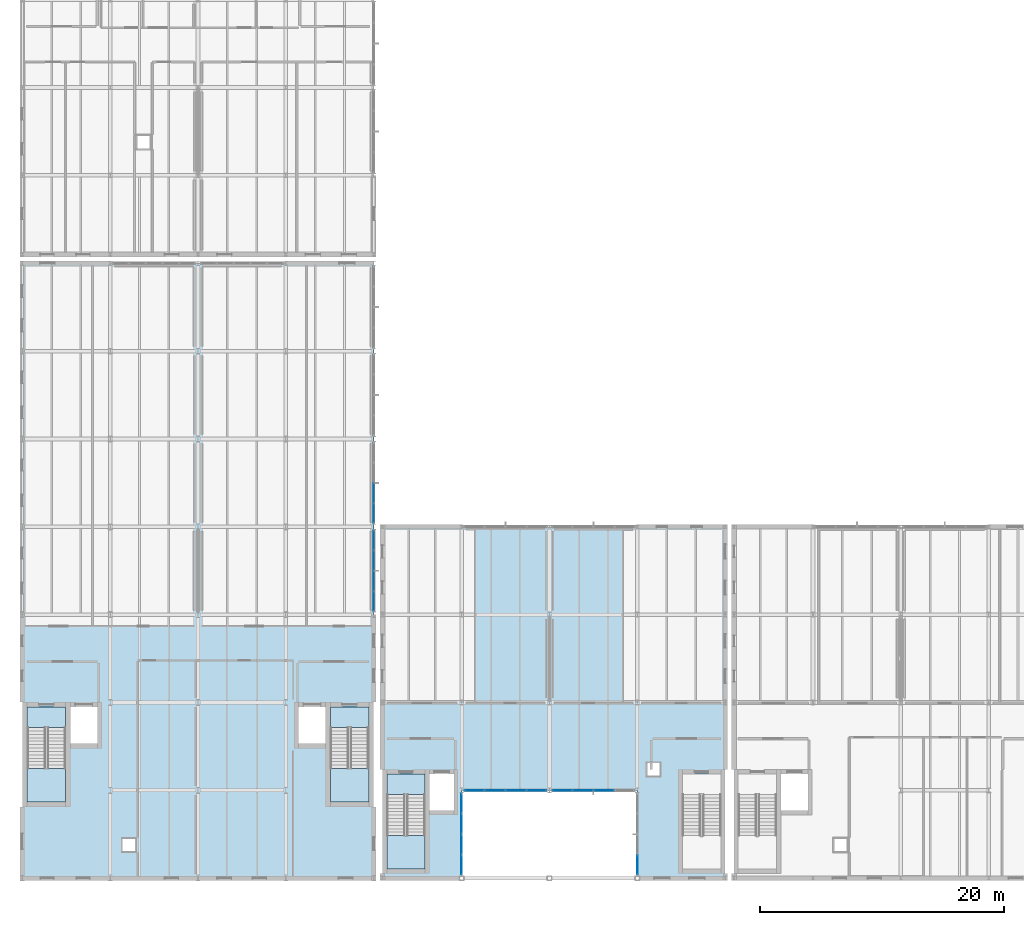
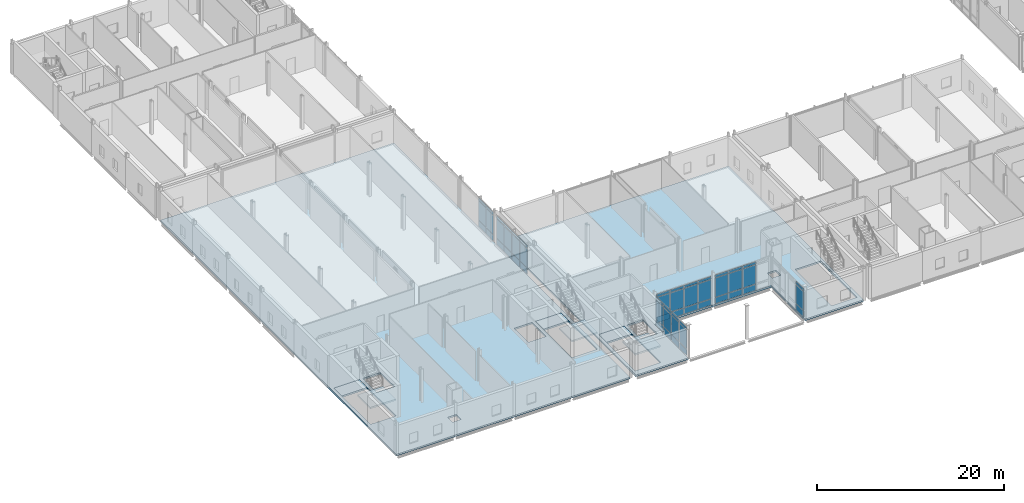
# One storey, part 34 of 72: 54 plates, 8 slabs, 9 elements without a shape of their own.
"""IFC4 building model written with IfcOpenShell, lengths in metres."""

from ifc_helpers import new_model, si_unit, direction, frame, origin, origin_2d, place, context, subcontext, project, spatial, polyline, rectangle, outline, extrude, material, layer, layer_set, type_object, element, aggregate, save


model = new_model("IFC4")

# Units and contexts
model_context = context("Model", 3, precision=1e-05, world=origin(), true_north=direction((0.0, 1.0)))
body_context = subcontext(model_context, "Body", "Model", "MODEL_VIEW")
ifc_project = project(units=[si_unit("LENGTHUNIT", "METRE"), si_unit("AREAUNIT", "SQUARE_METRE"), si_unit("VOLUMEUNIT", "CUBIC_METRE"), si_unit("PLANEANGLEUNIT", "RADIAN"), si_unit("MASSUNIT", "GRAM", prefix="KILO")], contexts=[model_context])

# Site, building, storey
site_placement = place(None, origin())
site = spatial("IfcSite", under=ifc_project, at=site_placement, CompositionType="ELEMENT")
building_placement = place(site_placement, origin())
building = spatial("IfcBuilding", under=site, at=building_placement, Name="Zarrinpeak Specialist Clinic", CompositionType="ELEMENT")
storey_placement = place(building_placement, frame((0.0, 0.0, 9.60009765625)))
storey = spatial("IfcBuildingStorey", under=building, at=storey_placement, Name="L02", CompositionType="ELEMENT", Elevation=9.60009765625)

# Curtain wall, plates
ifc_material_1 = material(Name="Anodised Aluminium Alloy 6063-T6", Category="aluminium")
ifc_layer_1 = layer(ifc_material_1, 0.179931640625)
ifc_layer_set_1 = layer_set([ifc_layer_1], Name="Anodised Aluminium Alloy 6063-T6")
curtain_wall_type_1 = type_object("IfcCurtainWallType", Name="CW-COURT", PredefinedType="NOTDEFINED", material=ifc_layer_set_1)
curtain_wall_1_placement = place(storey_placement, origin())
curtain_wall_1 = element("IfcCurtainWall", 1, at=curtain_wall_1_placement, inside=storey, type_object=curtain_wall_type_1, Name="L02 V1 Unitised Curtain Wall CW-L02-V1-015", PredefinedType="NOTDEFINED")
ifc_material_2 = material(Name="Double Low-E Insulated Glazing", Category="glass")
ifc_layer_2 = layer(ifc_material_2, 0.028076171875)
ifc_layer_set_2 = layer_set([ifc_layer_2], Name="Double Low-E Insulated Glazing")
plate_type_1 = type_object("IfcPlateType", Name="CWP-GLZ28", PredefinedType="CURTAIN_PANEL", material=ifc_layer_set_2)
plate_1_placement = place(storey_placement, frame((28.800048828125, 22.706298828125, 0.074951171875), z_axis=(0.0, 0.0, 1.0), x_axis=(0.0, 1.0, 0.0)))
plate_1 = element("IfcPlate", 2, at=plate_1_placement, type_object=plate_type_1, Name="CW-01 panel 1.1", PredefinedType="CURTAIN_PANEL", context=body_context, shape_type="SweptSolid", body=[
    extrude(rectangle(XDim=1.5625, YDim=0.028076171875, at=origin_2d()), origin(), (0.0, 0.0, 1.0), 0.78759765625),
])
plate_2_placement = place(storey_placement, frame((28.800048828125, 22.706298828125, 0.9375), z_axis=(0.0, 0.0, 1.0), x_axis=(0.0, 1.0, 0.0)))
plate_2 = element("IfcPlate", 3, at=plate_2_placement, type_object=plate_type_1, Name="CW-01 panel 1.2", PredefinedType="CURTAIN_PANEL", context=body_context, shape_type="SweptSolid", body=[
    extrude(rectangle(XDim=1.5625, YDim=0.028076171875, at=origin_2d()), origin(), (0.0, 0.0, 1.0), 2.469970703125),
])
plate_3_placement = place(storey_placement, frame((28.800048828125, 22.706298828125, 3.482421875), z_axis=(0.0, 0.0, 1.0), x_axis=(0.0, 1.0, 0.0)))
plate_3 = element("IfcPlate", 4, at=plate_3_placement, type_object=plate_type_1, Name="CW-01 panel 1.3", PredefinedType="CURTAIN_PANEL", context=body_context, shape_type="SweptSolid", body=[
    extrude(rectangle(XDim=1.5625, YDim=0.028076171875, at=origin_2d()), origin(), (0.0, 0.0, 1.0), 0.33740234375),
])
plate_4_placement = place(storey_placement, frame((28.800048828125, 24.362548828125, 0.074951171875), z_axis=(0.0, 0.0, 1.0), x_axis=(0.0, 1.0, 0.0)))
plate_4 = element("IfcPlate", 5, at=plate_4_placement, type_object=plate_type_1, Name="CW-01 panel 2.1", PredefinedType="CURTAIN_PANEL", context=body_context, shape_type="SweptSolid", body=[
    extrude(rectangle(XDim=1.60009765625, YDim=0.028076171875, at=origin_2d()), origin(), (0.0, 0.0, 1.0), 0.78759765625),
])
plate_5_placement = place(storey_placement, frame((28.800048828125, 24.362548828125, 0.9375), z_axis=(0.0, 0.0, 1.0), x_axis=(0.0, 1.0, 0.0)))
plate_5 = element("IfcPlate", 6, at=plate_5_placement, type_object=plate_type_1, Name="CW-01 panel 2.2", PredefinedType="CURTAIN_PANEL", context=body_context, shape_type="SweptSolid", body=[
    extrude(rectangle(XDim=1.60009765625, YDim=0.028076171875, at=origin_2d()), origin(), (0.0, 0.0, 1.0), 2.469970703125),
])
plate_6_placement = place(storey_placement, frame((28.800048828125, 24.362548828125, 3.482421875), z_axis=(0.0, 0.0, 1.0), x_axis=(0.0, 1.0, 0.0)))
plate_6 = element("IfcPlate", 7, at=plate_6_placement, type_object=plate_type_1, Name="CW-01 panel 2.3", PredefinedType="CURTAIN_PANEL", context=body_context, shape_type="SweptSolid", body=[
    extrude(rectangle(XDim=1.60009765625, YDim=0.028076171875, at=origin_2d()), origin(), (0.0, 0.0, 1.0), 0.33740234375),
])
plate_7_placement = place(storey_placement, frame((28.800048828125, 26.03759765625, 0.074951171875), z_axis=(0.0, 0.0, 1.0), x_axis=(0.0, 1.0, 0.0)))
plate_7 = element("IfcPlate", 8, at=plate_7_placement, type_object=plate_type_1, Name="CW-01 panel 3.1", PredefinedType="CURTAIN_PANEL", context=body_context, shape_type="SweptSolid", body=[
    extrude(rectangle(XDim=1.60009765625, YDim=0.028076171875, at=origin_2d()), origin(), (0.0, 0.0, 1.0), 0.78759765625),
])
plate_8_placement = place(storey_placement, frame((28.800048828125, 26.03759765625, 0.9375), z_axis=(0.0, 0.0, 1.0), x_axis=(0.0, 1.0, 0.0)))
plate_8 = element("IfcPlate", 9, at=plate_8_placement, type_object=plate_type_1, Name="CW-01 panel 3.2", PredefinedType="CURTAIN_PANEL", context=body_context, shape_type="SweptSolid", body=[
    extrude(rectangle(XDim=1.60009765625, YDim=0.028076171875, at=origin_2d()), origin(), (0.0, 0.0, 1.0), 2.469970703125),
])
plate_9_placement = place(storey_placement, frame((28.800048828125, 26.03759765625, 3.482421875), z_axis=(0.0, 0.0, 1.0), x_axis=(0.0, 1.0, 0.0)))
plate_9 = element("IfcPlate", 10, at=plate_9_placement, type_object=plate_type_1, Name="CW-01 panel 3.3", PredefinedType="CURTAIN_PANEL", context=body_context, shape_type="SweptSolid", body=[
    extrude(rectangle(XDim=1.60009765625, YDim=0.028076171875, at=origin_2d()), origin(), (0.0, 0.0, 1.0), 0.33740234375),
])
plate_10_placement = place(storey_placement, frame((28.800048828125, 27.69384765625, 0.074951171875), z_axis=(0.0, 0.0, 1.0), x_axis=(0.0, 1.0, 0.0)))
plate_10 = element("IfcPlate", 11, at=plate_10_placement, type_object=plate_type_1, Name="CW-01 panel 4.1", PredefinedType="CURTAIN_PANEL", context=body_context, shape_type="SweptSolid", body=[
    extrude(rectangle(XDim=1.5625, YDim=0.028076171875, at=origin_2d()), origin(), (0.0, 0.0, 1.0), 0.78759765625),
])
plate_11_placement = place(storey_placement, frame((28.800048828125, 27.69384765625, 0.9375), z_axis=(0.0, 0.0, 1.0), x_axis=(0.0, 1.0, 0.0)))
plate_11 = element("IfcPlate", 12, at=plate_11_placement, type_object=plate_type_1, Name="CW-01 panel 4.2", PredefinedType="CURTAIN_PANEL", context=body_context, shape_type="SweptSolid", body=[
    extrude(rectangle(XDim=1.5625, YDim=0.028076171875, at=origin_2d()), origin(), (0.0, 0.0, 1.0), 2.469970703125),
])
plate_12_placement = place(storey_placement, frame((28.800048828125, 27.69384765625, 3.482421875), z_axis=(0.0, 0.0, 1.0), x_axis=(0.0, 1.0, 0.0)))
plate_12 = element("IfcPlate", 13, at=plate_12_placement, type_object=plate_type_1, Name="CW-01 panel 4.3", PredefinedType="CURTAIN_PANEL", context=body_context, shape_type="SweptSolid", body=[
    extrude(rectangle(XDim=1.5625, YDim=0.028076171875, at=origin_2d()), origin(), (0.0, 0.0, 1.0), 0.33740234375),
])
aggregate(curtain_wall_1, [plate_1, plate_2, plate_3, plate_4, plate_5, plate_6, plate_7, plate_8, plate_9, plate_10, plate_11, plate_12])

curtain_wall_2_placement = place(storey_placement, origin())
curtain_wall_2 = element("IfcCurtainWall", 14, at=curtain_wall_2_placement, inside=storey, type_object=curtain_wall_type_1, Name="L02 V1 Unitised Curtain Wall CW-L02-V1-016", PredefinedType="NOTDEFINED")
plate_13_placement = place(storey_placement, frame((28.800048828125, 29.90625, 0.074951171875), z_axis=(0.0, 0.0, 1.0), x_axis=(0.0, 1.0, 0.0)))
plate_13 = element("IfcPlate", 15, at=plate_13_placement, type_object=plate_type_1, Name="CW-01 panel 1.1", PredefinedType="CURTAIN_PANEL", context=body_context, shape_type="SweptSolid", body=[
    extrude(rectangle(XDim=1.5625, YDim=0.028076171875, at=origin_2d()), origin(), (0.0, 0.0, 1.0), 0.78759765625),
])
plate_14_placement = place(storey_placement, frame((28.800048828125, 29.90625, 0.9375), z_axis=(0.0, 0.0, 1.0), x_axis=(0.0, 1.0, 0.0)))
plate_14 = element("IfcPlate", 16, at=plate_14_placement, type_object=plate_type_1, Name="CW-01 panel 1.2", PredefinedType="CURTAIN_PANEL", context=body_context, shape_type="SweptSolid", body=[
    extrude(rectangle(XDim=1.5625, YDim=0.028076171875, at=origin_2d()), origin(), (0.0, 0.0, 1.0), 2.4599609375),
])
plate_15_placement = place(storey_placement, frame((28.800048828125, 29.90625, 3.472412109375), z_axis=(0.0, 0.0, 1.0), x_axis=(0.0, 1.0, 0.0)))
plate_15 = element("IfcPlate", 17, at=plate_15_placement, type_object=plate_type_1, Name="CW-01 panel 1.3", PredefinedType="CURTAIN_PANEL", context=body_context, shape_type="SweptSolid", body=[
    extrude(rectangle(XDim=1.5625, YDim=0.028076171875, at=origin_2d()), origin(), (0.0, 0.0, 1.0), 0.33740234375),
])
plate_16_placement = place(storey_placement, frame((28.800048828125, 31.5625, 0.074951171875), z_axis=(0.0, 0.0, 1.0), x_axis=(0.0, 1.0, 0.0)))
plate_16 = element("IfcPlate", 18, at=plate_16_placement, type_object=plate_type_1, Name="CW-01 panel 2.1", PredefinedType="CURTAIN_PANEL", context=body_context, shape_type="SweptSolid", body=[
    extrude(rectangle(XDim=1.60009765625, YDim=0.028076171875, at=origin_2d()), origin(), (0.0, 0.0, 1.0), 0.78759765625),
])
plate_17_placement = place(storey_placement, frame((28.800048828125, 31.5625, 0.9375), z_axis=(0.0, 0.0, 1.0), x_axis=(0.0, 1.0, 0.0)))
plate_17 = element("IfcPlate", 19, at=plate_17_placement, type_object=plate_type_1, Name="CW-01 panel 2.2", PredefinedType="CURTAIN_PANEL", context=body_context, shape_type="SweptSolid", body=[
    extrude(rectangle(XDim=1.60009765625, YDim=0.028076171875, at=origin_2d()), origin(), (0.0, 0.0, 1.0), 2.4599609375),
])
plate_18_placement = place(storey_placement, frame((28.800048828125, 31.5625, 3.472412109375), z_axis=(0.0, 0.0, 1.0), x_axis=(0.0, 1.0, 0.0)))
plate_18 = element("IfcPlate", 20, at=plate_18_placement, type_object=plate_type_1, Name="CW-01 panel 2.3", PredefinedType="CURTAIN_PANEL", context=body_context, shape_type="SweptSolid", body=[
    extrude(rectangle(XDim=1.60009765625, YDim=0.028076171875, at=origin_2d()), origin(), (0.0, 0.0, 1.0), 0.33740234375),
])
aggregate(curtain_wall_2, [plate_13, plate_14, plate_15, plate_16, plate_17, plate_18])

ifc_layer_3 = layer(ifc_material_1, 0.18994140625)
ifc_layer_set_3 = layer_set([ifc_layer_3], Name="Anodised Aluminium Alloy 6063-T6")
curtain_wall_type_2 = type_object("IfcCurtainWallType", Name="CW-LOGGIA", PredefinedType="NOTDEFINED", material=ifc_layer_set_3)
curtain_wall_3_placement = place(storey_placement, origin())
curtain_wall_3 = element("IfcCurtainWall", 21, at=curtain_wall_3_placement, inside=storey, type_object=curtain_wall_type_2, Name="L02 V2 Unitised Curtain Wall CW-L02-V2-051", PredefinedType="NOTDEFINED")
plate_19_placement = place(storey_placement, frame((37.0537109375, 7.199951171875, 0.08984375), z_axis=(0.0, 0.0, 1.0), x_axis=(1.0, 0.0, 0.0)))
plate_19 = element("IfcPlate", 22, at=plate_19_placement, type_object=plate_type_1, Name="CW-04 panel 1.1", PredefinedType="CURTAIN_PANEL", context=body_context, shape_type="SweptSolid", body=[
    extrude(rectangle(XDim=1.577392578125, YDim=0.028076171875, at=origin_2d()), origin(), (0.0, 0.0, 1.0), 0.764892578125),
])
plate_20_placement = place(storey_placement, frame((37.0537109375, 7.199951171875, 0.94482421875), z_axis=(0.0, 0.0, 1.0), x_axis=(1.0, 0.0, 0.0)))
plate_20 = element("IfcPlate", 23, at=plate_20_placement, type_object=plate_type_1, Name="CW-04 panel 1.2", PredefinedType="CURTAIN_PANEL", context=body_context, shape_type="SweptSolid", body=[
    extrude(rectangle(XDim=1.577392578125, YDim=0.028076171875, at=origin_2d()), origin(), (0.0, 0.0, 1.0), 2.455078125),
])
plate_21_placement = place(storey_placement, frame((37.0537109375, 7.199951171875, 3.489990234375), z_axis=(0.0, 0.0, 1.0), x_axis=(1.0, 0.0, 0.0)))
plate_21 = element("IfcPlate", 24, at=plate_21_placement, type_object=plate_type_1, Name="CW-04 panel 1.3", PredefinedType="CURTAIN_PANEL", context=body_context, shape_type="SweptSolid", body=[
    extrude(rectangle(XDim=1.577392578125, YDim=0.028076171875, at=origin_2d()), origin(), (0.0, 0.0, 1.0), 0.31494140625),
])
plate_22_placement = place(storey_placement, frame((38.74365234375, 7.199951171875, 0.08984375), z_axis=(0.0, 0.0, 1.0), x_axis=(1.0, 0.0, 0.0)))
plate_22 = element("IfcPlate", 25, at=plate_22_placement, type_object=plate_type_1, Name="CW-04 panel 2.1", PredefinedType="CURTAIN_PANEL", context=body_context, shape_type="SweptSolid", body=[
    extrude(rectangle(XDim=1.62255859375, YDim=0.028076171875, at=origin_2d()), origin(), (0.0, 0.0, 1.0), 0.764892578125),
])
plate_23_placement = place(storey_placement, frame((38.74365234375, 7.199951171875, 0.94482421875), z_axis=(0.0, 0.0, 1.0), x_axis=(1.0, 0.0, 0.0)))
plate_23 = element("IfcPlate", 26, at=plate_23_placement, type_object=plate_type_1, Name="CW-04 panel 2.2", PredefinedType="CURTAIN_PANEL", context=body_context, shape_type="SweptSolid", body=[
    extrude(rectangle(XDim=1.62255859375, YDim=0.028076171875, at=origin_2d()), origin(), (0.0, 0.0, 1.0), 2.455078125),
])
plate_24_placement = place(storey_placement, frame((38.74365234375, 7.199951171875, 3.489990234375), z_axis=(0.0, 0.0, 1.0), x_axis=(1.0, 0.0, 0.0)))
plate_24 = element("IfcPlate", 27, at=plate_24_placement, type_object=plate_type_1, Name="CW-04 panel 2.3", PredefinedType="CURTAIN_PANEL", context=body_context, shape_type="SweptSolid", body=[
    extrude(rectangle(XDim=1.62255859375, YDim=0.028076171875, at=origin_2d()), origin(), (0.0, 0.0, 1.0), 0.31494140625),
])
plate_25_placement = place(storey_placement, frame((40.456298828125, 7.199951171875, 0.08984375), z_axis=(0.0, 0.0, 1.0), x_axis=(1.0, 0.0, 0.0)))
plate_25 = element("IfcPlate", 28, at=plate_25_placement, type_object=plate_type_1, Name="CW-04 panel 3.1", PredefinedType="CURTAIN_PANEL", context=body_context, shape_type="SweptSolid", body=[
    extrude(rectangle(XDim=1.62255859375, YDim=0.028076171875, at=origin_2d()), origin(), (0.0, 0.0, 1.0), 0.764892578125),
])
plate_26_placement = place(storey_placement, frame((40.456298828125, 7.199951171875, 0.94482421875), z_axis=(0.0, 0.0, 1.0), x_axis=(1.0, 0.0, 0.0)))
plate_26 = element("IfcPlate", 29, at=plate_26_placement, type_object=plate_type_1, Name="CW-04 panel 3.2", PredefinedType="CURTAIN_PANEL", context=body_context, shape_type="SweptSolid", body=[
    extrude(rectangle(XDim=1.62255859375, YDim=0.028076171875, at=origin_2d()), origin(), (0.0, 0.0, 1.0), 2.455078125),
])
plate_27_placement = place(storey_placement, frame((40.456298828125, 7.199951171875, 3.489990234375), z_axis=(0.0, 0.0, 1.0), x_axis=(1.0, 0.0, 0.0)))
plate_27 = element("IfcPlate", 30, at=plate_27_placement, type_object=plate_type_1, Name="CW-04 panel 3.3", PredefinedType="CURTAIN_PANEL", context=body_context, shape_type="SweptSolid", body=[
    extrude(rectangle(XDim=1.62255859375, YDim=0.028076171875, at=origin_2d()), origin(), (0.0, 0.0, 1.0), 0.31494140625),
])
plate_28_placement = place(storey_placement, frame((42.146240234375, 7.199951171875, 0.08984375), z_axis=(0.0, 0.0, 1.0), x_axis=(1.0, 0.0, 0.0)))
plate_28 = element("IfcPlate", 31, at=plate_28_placement, type_object=plate_type_1, Name="CW-04 panel 4.1", PredefinedType="CURTAIN_PANEL", context=body_context, shape_type="SweptSolid", body=[
    extrude(rectangle(XDim=1.577392578125, YDim=0.028076171875, at=origin_2d()), origin(), (0.0, 0.0, 1.0), 0.764892578125),
])
plate_29_placement = place(storey_placement, frame((42.146240234375, 7.199951171875, 0.94482421875), z_axis=(0.0, 0.0, 1.0), x_axis=(1.0, 0.0, 0.0)))
plate_29 = element("IfcPlate", 32, at=plate_29_placement, type_object=plate_type_1, Name="CW-04 panel 4.2", PredefinedType="CURTAIN_PANEL", context=body_context, shape_type="SweptSolid", body=[
    extrude(rectangle(XDim=1.577392578125, YDim=0.028076171875, at=origin_2d()), origin(), (0.0, 0.0, 1.0), 2.455078125),
])
plate_30_placement = place(storey_placement, frame((42.146240234375, 7.199951171875, 3.489990234375), z_axis=(0.0, 0.0, 1.0), x_axis=(1.0, 0.0, 0.0)))
plate_30 = element("IfcPlate", 33, at=plate_30_placement, type_object=plate_type_1, Name="CW-04 panel 4.3", PredefinedType="CURTAIN_PANEL", context=body_context, shape_type="SweptSolid", body=[
    extrude(rectangle(XDim=1.577392578125, YDim=0.028076171875, at=origin_2d()), origin(), (0.0, 0.0, 1.0), 0.31494140625),
])
aggregate(curtain_wall_3, [plate_19, plate_20, plate_21, plate_22, plate_23, plate_24, plate_25, plate_26, plate_27, plate_28, plate_29, plate_30])

curtain_wall_4_placement = place(storey_placement, origin())
curtain_wall_4 = element("IfcCurtainWall", 34, at=curtain_wall_4_placement, inside=storey, type_object=curtain_wall_type_2, Name="L02 V2 Unitised Curtain Wall CW-L02-V2-052", PredefinedType="NOTDEFINED")
plate_31_placement = place(storey_placement, frame((44.253662109375, 7.199951171875, 0.08984375), z_axis=(0.0, 0.0, 1.0), x_axis=(1.0, 0.0, 0.0)))
plate_31 = element("IfcPlate", 35, at=plate_31_placement, type_object=plate_type_1, Name="CW-04 panel 1.1", PredefinedType="CURTAIN_PANEL", context=body_context, shape_type="SweptSolid", body=[
    extrude(rectangle(XDim=1.577392578125, YDim=0.028076171875, at=origin_2d()), origin(), (0.0, 0.0, 1.0), 0.764892578125),
])
plate_32_placement = place(storey_placement, frame((44.253662109375, 7.199951171875, 0.94482421875), z_axis=(0.0, 0.0, 1.0), x_axis=(1.0, 0.0, 0.0)))
plate_32 = element("IfcPlate", 36, at=plate_32_placement, type_object=plate_type_1, Name="CW-04 panel 1.2", PredefinedType="CURTAIN_PANEL", context=body_context, shape_type="SweptSolid", body=[
    extrude(rectangle(XDim=1.577392578125, YDim=0.028076171875, at=origin_2d()), origin(), (0.0, 0.0, 1.0), 2.455078125),
])
plate_33_placement = place(storey_placement, frame((44.253662109375, 7.199951171875, 3.489990234375), z_axis=(0.0, 0.0, 1.0), x_axis=(1.0, 0.0, 0.0)))
plate_33 = element("IfcPlate", 37, at=plate_33_placement, type_object=plate_type_1, Name="CW-04 panel 1.3", PredefinedType="CURTAIN_PANEL", context=body_context, shape_type="SweptSolid", body=[
    extrude(rectangle(XDim=1.577392578125, YDim=0.028076171875, at=origin_2d()), origin(), (0.0, 0.0, 1.0), 0.31494140625),
])
plate_34_placement = place(storey_placement, frame((45.94384765625, 7.199951171875, 0.08984375), z_axis=(0.0, 0.0, 1.0), x_axis=(1.0, 0.0, 0.0)))
plate_34 = element("IfcPlate", 38, at=plate_34_placement, type_object=plate_type_1, Name="CW-04 panel 2.1", PredefinedType="CURTAIN_PANEL", context=body_context, shape_type="SweptSolid", body=[
    extrude(rectangle(XDim=1.62255859375, YDim=0.028076171875, at=origin_2d()), origin(), (0.0, 0.0, 1.0), 0.764892578125),
])
plate_35_placement = place(storey_placement, frame((45.94384765625, 7.199951171875, 0.94482421875), z_axis=(0.0, 0.0, 1.0), x_axis=(1.0, 0.0, 0.0)))
plate_35 = element("IfcPlate", 39, at=plate_35_placement, type_object=plate_type_1, Name="CW-04 panel 2.2", PredefinedType="CURTAIN_PANEL", context=body_context, shape_type="SweptSolid", body=[
    extrude(rectangle(XDim=1.62255859375, YDim=0.028076171875, at=origin_2d()), origin(), (0.0, 0.0, 1.0), 2.455078125),
])
plate_36_placement = place(storey_placement, frame((45.94384765625, 7.199951171875, 3.489990234375), z_axis=(0.0, 0.0, 1.0), x_axis=(1.0, 0.0, 0.0)))
plate_36 = element("IfcPlate", 40, at=plate_36_placement, type_object=plate_type_1, Name="CW-04 panel 2.3", PredefinedType="CURTAIN_PANEL", context=body_context, shape_type="SweptSolid", body=[
    extrude(rectangle(XDim=1.62255859375, YDim=0.028076171875, at=origin_2d()), origin(), (0.0, 0.0, 1.0), 0.31494140625),
])
plate_37_placement = place(storey_placement, frame((47.65625, 7.199951171875, 0.08984375), z_axis=(0.0, 0.0, 1.0), x_axis=(1.0, 0.0, 0.0)))
plate_37 = element("IfcPlate", 41, at=plate_37_placement, type_object=plate_type_1, Name="CW-04 panel 3.1", PredefinedType="CURTAIN_PANEL", context=body_context, shape_type="SweptSolid", body=[
    extrude(rectangle(XDim=1.62255859375, YDim=0.028076171875, at=origin_2d()), origin(), (0.0, 0.0, 1.0), 0.764892578125),
])
plate_38_placement = place(storey_placement, frame((47.65625, 7.199951171875, 0.94482421875), z_axis=(0.0, 0.0, 1.0), x_axis=(1.0, 0.0, 0.0)))
plate_38 = element("IfcPlate", 42, at=plate_38_placement, type_object=plate_type_1, Name="CW-04 panel 3.2", PredefinedType="CURTAIN_PANEL", context=body_context, shape_type="SweptSolid", body=[
    extrude(rectangle(XDim=1.62255859375, YDim=0.028076171875, at=origin_2d()), origin(), (0.0, 0.0, 1.0), 2.455078125),
])
plate_39_placement = place(storey_placement, frame((47.65625, 7.199951171875, 3.489990234375), z_axis=(0.0, 0.0, 1.0), x_axis=(1.0, 0.0, 0.0)))
plate_39 = element("IfcPlate", 43, at=plate_39_placement, type_object=plate_type_1, Name="CW-04 panel 3.3", PredefinedType="CURTAIN_PANEL", context=body_context, shape_type="SweptSolid", body=[
    extrude(rectangle(XDim=1.62255859375, YDim=0.028076171875, at=origin_2d()), origin(), (0.0, 0.0, 1.0), 0.31494140625),
])
aggregate(curtain_wall_4, [plate_31, plate_32, plate_33, plate_34, plate_35, plate_36, plate_37, plate_38, plate_39])

curtain_wall_5_placement = place(storey_placement, origin())
curtain_wall_5 = element("IfcCurtainWall", 44, at=curtain_wall_5_placement, inside=storey, type_object=curtain_wall_type_2, Name="L02 V2 Unitised Curtain Wall CW-L02-V2-053", PredefinedType="NOTDEFINED")
plate_40_placement = place(storey_placement, frame((36.0, 1.096435546875, 0.08984375), z_axis=(0.0, 0.0, 1.0), x_axis=(0.0, 1.0, 0.0)))
plate_40 = element("IfcPlate", 45, at=plate_40_placement, type_object=plate_type_1, Name="CW-04 panel 1.1", PredefinedType="CURTAIN_PANEL", context=body_context, shape_type="SweptSolid", body=[
    extrude(rectangle(XDim=1.556640625, YDim=0.028076171875, at=origin_2d()), origin(), (0.0, 0.0, 1.0), 0.764892578125),
])
plate_41_placement = place(storey_placement, frame((36.0, 1.096435546875, 0.94482421875), z_axis=(0.0, 0.0, 1.0), x_axis=(0.0, 1.0, 0.0)))
plate_41 = element("IfcPlate", 46, at=plate_41_placement, type_object=plate_type_1, Name="CW-04 panel 1.2", PredefinedType="CURTAIN_PANEL", context=body_context, shape_type="SweptSolid", body=[
    extrude(rectangle(XDim=1.556640625, YDim=0.028076171875, at=origin_2d()), origin(), (0.0, 0.0, 1.0), 2.445068359375),
])
plate_42_placement = place(storey_placement, frame((36.0, 1.096435546875, 3.47998046875), z_axis=(0.0, 0.0, 1.0), x_axis=(0.0, 1.0, 0.0)))
plate_42 = element("IfcPlate", 47, at=plate_42_placement, type_object=plate_type_1, Name="CW-04 panel 1.3", PredefinedType="CURTAIN_PANEL", context=body_context, shape_type="SweptSolid", body=[
    extrude(rectangle(XDim=1.556640625, YDim=0.028076171875, at=origin_2d()), origin(), (0.0, 0.0, 1.0), 0.31494140625),
])
plate_43_placement = place(storey_placement, frame((36.0, 2.765869140625, 0.08984375), z_axis=(0.0, 0.0, 1.0), x_axis=(0.0, 1.0, 0.0)))
plate_43 = element("IfcPlate", 48, at=plate_43_placement, type_object=plate_type_1, Name="CW-04 panel 2.1", PredefinedType="CURTAIN_PANEL", context=body_context, shape_type="SweptSolid", body=[
    extrude(rectangle(XDim=1.601806640625, YDim=0.028076171875, at=origin_2d()), origin(), (0.0, 0.0, 1.0), 0.764892578125),
])
plate_44_placement = place(storey_placement, frame((36.0, 2.765869140625, 0.94482421875), z_axis=(0.0, 0.0, 1.0), x_axis=(0.0, 1.0, 0.0)))
plate_44 = element("IfcPlate", 49, at=plate_44_placement, type_object=plate_type_1, Name="CW-04 panel 2.2", PredefinedType="CURTAIN_PANEL", context=body_context, shape_type="SweptSolid", body=[
    extrude(rectangle(XDim=1.601806640625, YDim=0.028076171875, at=origin_2d()), origin(), (0.0, 0.0, 1.0), 2.445068359375),
])
plate_45_placement = place(storey_placement, frame((36.0, 2.765869140625, 3.47998046875), z_axis=(0.0, 0.0, 1.0), x_axis=(0.0, 1.0, 0.0)))
plate_45 = element("IfcPlate", 50, at=plate_45_placement, type_object=plate_type_1, Name="CW-04 panel 2.3", PredefinedType="CURTAIN_PANEL", context=body_context, shape_type="SweptSolid", body=[
    extrude(rectangle(XDim=1.601806640625, YDim=0.028076171875, at=origin_2d()), origin(), (0.0, 0.0, 1.0), 0.31494140625),
])
plate_46_placement = place(storey_placement, frame((36.0, 4.45751953125, 0.08984375), z_axis=(0.0, 0.0, 1.0), x_axis=(0.0, 1.0, 0.0)))
plate_46 = element("IfcPlate", 51, at=plate_46_placement, type_object=plate_type_1, Name="CW-04 panel 3.1", PredefinedType="CURTAIN_PANEL", context=body_context, shape_type="SweptSolid", body=[
    extrude(rectangle(XDim=1.601806640625, YDim=0.028076171875, at=origin_2d()), origin(), (0.0, 0.0, 1.0), 0.764892578125),
])
plate_47_placement = place(storey_placement, frame((36.0, 4.45751953125, 0.94482421875), z_axis=(0.0, 0.0, 1.0), x_axis=(0.0, 1.0, 0.0)))
plate_47 = element("IfcPlate", 52, at=plate_47_placement, type_object=plate_type_1, Name="CW-04 panel 3.2", PredefinedType="CURTAIN_PANEL", context=body_context, shape_type="SweptSolid", body=[
    extrude(rectangle(XDim=1.601806640625, YDim=0.028076171875, at=origin_2d()), origin(), (0.0, 0.0, 1.0), 2.445068359375),
])
plate_48_placement = place(storey_placement, frame((36.0, 4.45751953125, 3.47998046875), z_axis=(0.0, 0.0, 1.0), x_axis=(0.0, 1.0, 0.0)))
plate_48 = element("IfcPlate", 53, at=plate_48_placement, type_object=plate_type_1, Name="CW-04 panel 3.3", PredefinedType="CURTAIN_PANEL", context=body_context, shape_type="SweptSolid", body=[
    extrude(rectangle(XDim=1.601806640625, YDim=0.028076171875, at=origin_2d()), origin(), (0.0, 0.0, 1.0), 0.31494140625),
])
plate_49_placement = place(storey_placement, frame((36.0, 6.126708984375, 0.08984375), z_axis=(0.0, 0.0, 1.0), x_axis=(0.0, 1.0, 0.0)))
plate_49 = element("IfcPlate", 54, at=plate_49_placement, type_object=plate_type_1, Name="CW-04 panel 4.1", PredefinedType="CURTAIN_PANEL", context=body_context, shape_type="SweptSolid", body=[
    extrude(rectangle(XDim=1.556640625, YDim=0.028076171875, at=origin_2d()), origin(), (0.0, 0.0, 1.0), 0.764892578125),
])
plate_50_placement = place(storey_placement, frame((36.0, 6.126708984375, 0.94482421875), z_axis=(0.0, 0.0, 1.0), x_axis=(0.0, 1.0, 0.0)))
plate_50 = element("IfcPlate", 55, at=plate_50_placement, type_object=plate_type_1, Name="CW-04 panel 4.2", PredefinedType="CURTAIN_PANEL", context=body_context, shape_type="SweptSolid", body=[
    extrude(rectangle(XDim=1.556640625, YDim=0.028076171875, at=origin_2d()), origin(), (0.0, 0.0, 1.0), 2.445068359375),
])
plate_51_placement = place(storey_placement, frame((36.0, 6.126708984375, 3.47998046875), z_axis=(0.0, 0.0, 1.0), x_axis=(0.0, 1.0, 0.0)))
plate_51 = element("IfcPlate", 56, at=plate_51_placement, type_object=plate_type_1, Name="CW-04 panel 4.3", PredefinedType="CURTAIN_PANEL", context=body_context, shape_type="SweptSolid", body=[
    extrude(rectangle(XDim=1.556640625, YDim=0.028076171875, at=origin_2d()), origin(), (0.0, 0.0, 1.0), 0.31494140625),
])
aggregate(curtain_wall_5, [plate_40, plate_41, plate_42, plate_43, plate_44, plate_45, plate_46, plate_47, plate_48, plate_49, plate_50, plate_51])

curtain_wall_6_placement = place(storey_placement, origin())
curtain_wall_6 = element("IfcCurtainWall", 57, at=curtain_wall_6_placement, inside=storey, type_object=curtain_wall_type_2, Name="L02 V2 Unitised Curtain Wall CW-L02-V2-054", PredefinedType="NOTDEFINED")
ifc_material_3 = material(Name="Insulated Aluminium Spandrel Panel", Category="aluminium")
ifc_layer_4 = layer(ifc_material_3, 0.044921875)
ifc_layer_set_4 = layer_set([ifc_layer_4], Name="Insulated Aluminium Spandrel Panel")
plate_type_2 = type_object("IfcPlateType", Name="CWP-SPN45", PredefinedType="CURTAIN_PANEL", material=ifc_layer_set_4)
plate_52_placement = place(storey_placement, frame((50.39990234375, 1.096435546875, 0.08984375), z_axis=(0.0, 0.0, 1.0), x_axis=(0.0, -1.0, 0.0)))
plate_52 = element("IfcPlate", 58, at=plate_52_placement, type_object=plate_type_2, Name="CW-04 panel 4.1", PredefinedType="CURTAIN_PANEL", context=body_context, shape_type="SweptSolid", body=[
    extrude(rectangle(XDim=1.556640625, YDim=0.044921875, at=origin_2d()), origin(), (0.0, 0.0, 1.0), 0.764892578125),
])
plate_53_placement = place(storey_placement, frame((50.39990234375, 1.096435546875, 0.94482421875), z_axis=(0.0, 0.0, 1.0), x_axis=(0.0, -1.0, 0.0)))
plate_53 = element("IfcPlate", 59, at=plate_53_placement, type_object=plate_type_2, Name="CW-04 panel 4.2", PredefinedType="CURTAIN_PANEL", context=body_context, shape_type="SweptSolid", body=[
    extrude(rectangle(XDim=1.556640625, YDim=0.044921875, at=origin_2d()), origin(), (0.0, 0.0, 1.0), 2.445068359375),
])
plate_54_placement = place(storey_placement, frame((50.39990234375, 1.096435546875, 3.47998046875), z_axis=(0.0, 0.0, 1.0), x_axis=(0.0, -1.0, 0.0)))
plate_54 = element("IfcPlate", 60, at=plate_54_placement, type_object=plate_type_2, Name="CW-04 panel 4.3", PredefinedType="CURTAIN_PANEL", context=body_context, shape_type="SweptSolid", body=[
    extrude(rectangle(XDim=1.556640625, YDim=0.044921875, at=origin_2d()), origin(), (0.0, 0.0, 1.0), 0.31494140625),
])
aggregate(curtain_wall_6, [plate_52, plate_53, plate_54])

# Slabs
ifc_material_4 = material(Name="Concrete C35/45", Category="concrete")
ifc_layer_5 = layer(ifc_material_4, 0.215087890625)
ifc_layer_set_5 = layer_set([ifc_layer_5], Name="Concrete C35/45")
slab_type_1 = type_object("IfcSlabType", Name="SL-FLR215", PredefinedType="FLOOR", material=ifc_layer_set_5)
slab_1_placement = place(storey_placement, frame((0.0, 0.0, -0.215087890625)))
element("IfcSlab", 61, at=slab_1_placement, inside=storey, type_object=slab_type_1, Name="L02 Suspended Clinical Floor Slab V1", PredefinedType="FLOOR", context=body_context, shape_type="SweptSolid", body=[
    extrude(outline(polyline([(0.0, 0.0), (28.800048828125, 0.0), (28.800048828125, 50.39990234375), (0.0, 50.39990234375), (0.0, 0.0)]), holes=[polyline([(0.39990234375, 6.25), (3.550048828125, 6.25), (3.550048828125, 14.050048828125), (0.39990234375, 14.050048828125), (0.39990234375, 6.25)]), polyline([(3.949951171875, 11.050048828125), (6.14990234375, 11.050048828125), (6.14990234375, 14.050048828125), (3.949951171875, 14.050048828125), (3.949951171875, 11.050048828125)]), polyline([(25.25, 6.25), (28.39990234375, 6.25), (28.39990234375, 14.050048828125), (25.25, 14.050048828125), (25.25, 6.25)]), polyline([(22.64990234375, 11.050048828125), (24.85009765625, 11.050048828125), (24.85009765625, 14.050048828125), (22.64990234375, 14.050048828125), (22.64990234375, 11.050048828125)]), polyline([(8.199951171875, 2.199951171875), (9.25, 2.199951171875), (9.25, 3.25), (8.199951171875, 3.25), (8.199951171875, 2.199951171875)])]), origin(), (0.0, 0.0, 1.0), 0.215087890625),
])
slab_2_placement = place(storey_placement, frame((0.0, 0.0, -0.215087890625)))
element("IfcSlab", 62, at=slab_2_placement, inside=storey, type_object=slab_type_1, Name="L02 Core C01 Stairwell Floor Landing Slab", PredefinedType="FLOOR", context=body_context, shape_type="SweptSolid", body=[
    extrude(outline(polyline([(0.39990234375, 12.35009765625), (3.550048828125, 12.35009765625), (3.550048828125, 14.050048828125), (0.39990234375, 14.050048828125), (0.39990234375, 12.35009765625)])), origin(), (0.0, 0.0, 1.0), 0.215087890625),
])
slab_3_placement = place(storey_placement, frame((0.0, 0.0, -0.215087890625)))
element("IfcSlab", 63, at=slab_3_placement, inside=storey, type_object=slab_type_1, Name="L02 Core C02 Stairwell Floor Landing Slab", PredefinedType="FLOOR", context=body_context, shape_type="SweptSolid", body=[
    extrude(outline(polyline([(25.25, 12.35009765625), (28.39990234375, 12.35009765625), (28.39990234375, 14.050048828125), (25.25, 14.050048828125), (25.25, 12.35009765625)])), origin(), (0.0, 0.0, 1.0), 0.215087890625),
])
slab_4_placement = place(storey_placement, frame((0.0, 0.0, -0.215087890625)))
element("IfcSlab", 64, at=slab_4_placement, inside=storey, type_object=slab_type_1, Name="L02 Suspended Clinical Floor Slab V2", PredefinedType="FLOOR", context=body_context, shape_type="SweptSolid", body=[
    extrude(outline(polyline([(29.52001953125, 0.0), (36.0, 0.0), (36.0, 7.199951171875), (50.39990234375, 7.199951171875), (50.39990234375, 0.0), (57.60009765625, 0.0), (57.60009765625, 28.800048828125), (29.52001953125, 28.800048828125), (29.52001953125, 0.0)]), holes=[polyline([(29.8701171875, 0.75), (33.02001953125, 0.75), (33.02001953125, 8.550048828125), (29.8701171875, 8.550048828125), (29.8701171875, 0.75)]), polyline([(33.3701171875, 5.550048828125), (35.3701171875, 5.550048828125), (35.3701171875, 8.550048828125), (33.3701171875, 8.550048828125), (33.3701171875, 5.550048828125)]), polyline([(54.10009765625, 0.75), (57.25, 0.75), (57.25, 8.550048828125), (54.10009765625, 8.550048828125), (54.10009765625, 0.75)]), polyline([(51.199951171875, 8.39990234375), (52.25, 8.39990234375), (52.25, 9.449951171875), (51.199951171875, 9.449951171875), (51.199951171875, 8.39990234375)])]), origin(), (0.0, 0.0, 1.0), 0.215087890625),
])
slab_5_placement = place(storey_placement, frame((0.0, 0.0, -0.215087890625)))
element("IfcSlab", 65, at=slab_5_placement, inside=storey, type_object=slab_type_1, Name="L02 Core C03 Stairwell Floor Landing Slab", PredefinedType="FLOOR", context=body_context, shape_type="SweptSolid", body=[
    extrude(outline(polyline([(29.8701171875, 6.85009765625), (33.02001953125, 6.85009765625), (33.02001953125, 8.550048828125), (29.8701171875, 8.550048828125), (29.8701171875, 6.85009765625)])), origin(), (0.0, 0.0, 1.0), 0.215087890625),
])

# Stair, slab
stair_type = type_object("IfcStairType", Name="ST-DOG", PredefinedType="HALF_TURN_STAIR", material=ifc_material_4)
stair_1_placement = place(storey_placement, origin())
stair_1 = element("IfcStair", 66, at=stair_1_placement, inside=storey, type_object=stair_type, Name="L02 Protected Exit Stair ST-01", PredefinedType="HALF_TURN_STAIR")
ifc_layer_6 = layer(ifc_material_4, 0.199951171875)
ifc_layer_set_6 = layer_set([ifc_layer_6], Name="Concrete C35/45")
slab_type_2 = type_object("IfcSlabType", Name="SL-LAND200", PredefinedType="LANDING", material=ifc_layer_set_6)
slab_6_placement = place(storey_placement, frame((0.0, 0.0, 2.0)))
slab_6 = element("IfcSlab", 67, at=slab_6_placement, type_object=slab_type_2, Name="ST-01 landing 1", PredefinedType="LANDING", context=body_context, shape_type="SweptSolid", body=[
    extrude(outline(polyline([(0.39990234375, 8.989990234375), (0.39990234375, 6.25), (3.550048828125, 6.25), (3.550048828125, 8.989990234375), (0.39990234375, 8.989990234375)])), origin(), (0.0, 0.0, 1.0), 0.199951171875),
])
aggregate(stair_1, [slab_6])

stair_2_placement = place(storey_placement, origin())
stair_2 = element("IfcStair", 68, at=stair_2_placement, inside=storey, type_object=stair_type, Name="L02 Protected Exit Stair ST-02", PredefinedType="HALF_TURN_STAIR")
slab_7_placement = place(storey_placement, frame((0.0, 0.0, 2.0)))
slab_7 = element("IfcSlab", 69, at=slab_7_placement, type_object=slab_type_2, Name="ST-02 landing 1", PredefinedType="LANDING", context=body_context, shape_type="SweptSolid", body=[
    extrude(outline(polyline([(25.25, 8.989990234375), (25.25, 6.25), (28.39990234375, 6.25), (28.39990234375, 8.989990234375), (25.25, 8.989990234375)])), origin(), (0.0, 0.0, 1.0), 0.199951171875),
])
aggregate(stair_2, [slab_7])

stair_3_placement = place(storey_placement, origin())
stair_3 = element("IfcStair", 70, at=stair_3_placement, inside=storey, type_object=stair_type, Name="L02 Protected Exit Stair ST-03", PredefinedType="HALF_TURN_STAIR")
slab_8_placement = place(storey_placement, frame((0.0, 0.0, 2.0)))
slab_8 = element("IfcSlab", 71, at=slab_8_placement, type_object=slab_type_2, Name="ST-03 landing 1", PredefinedType="LANDING", context=body_context, shape_type="SweptSolid", body=[
    extrude(outline(polyline([(29.8701171875, 3.489990234375), (29.8701171875, 0.75), (33.02001953125, 0.75), (33.02001953125, 3.489990234375), (29.8701171875, 3.489990234375)])), origin(), (0.0, 0.0, 1.0), 0.199951171875),
])
aggregate(stair_3, [slab_8])

save(model, "model.ifc")
